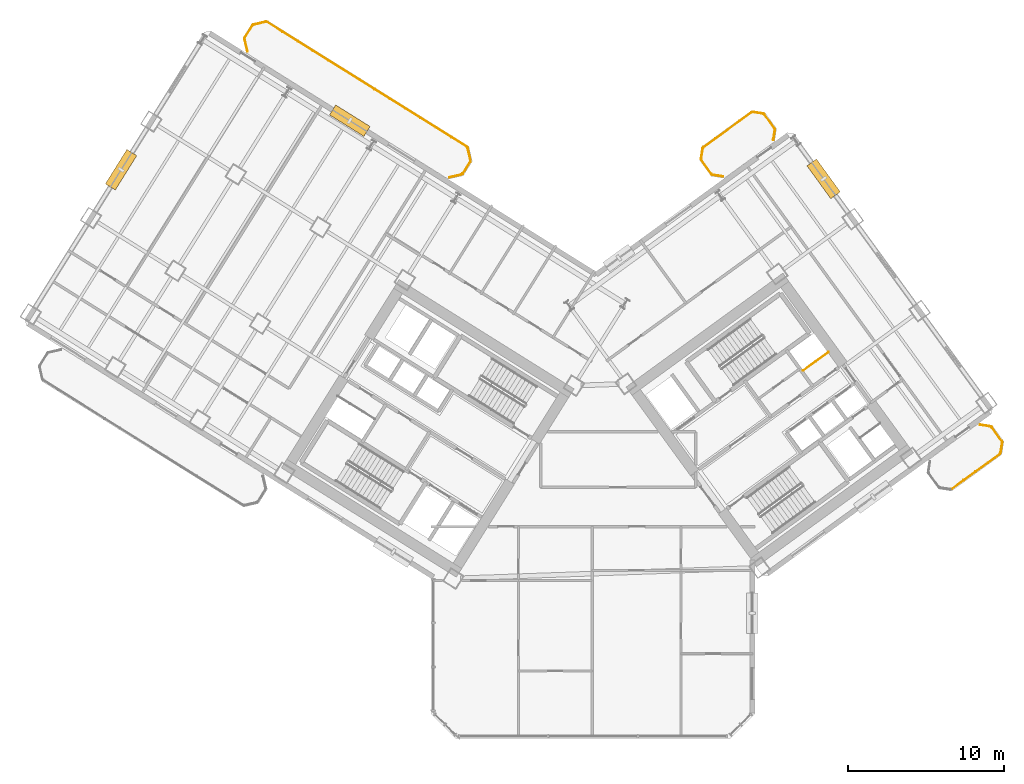
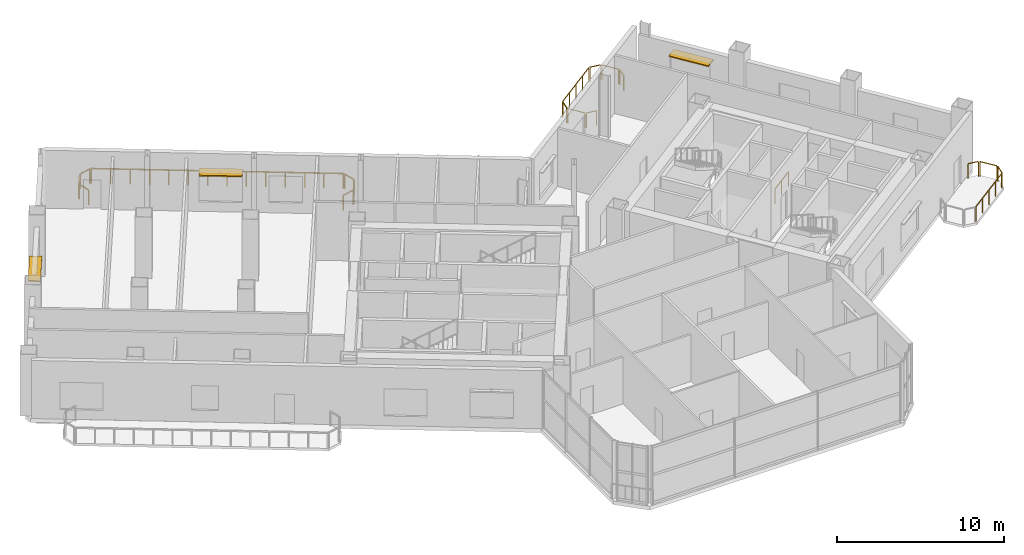
# One storey, part 19 of 19: 19 railings, 3 shading devices.
"""IFC4 building model written with IfcOpenShell, lengths in metres."""

from ifc_helpers import new_model, si_unit, direction, frame, origin, origin_2d, place, context, subcontext, project, spatial, rectangle, extrude, source, transform, mapped, material, layer, layer_set, type_object, element, save


model = new_model("IFC4")

# Units and contexts
model_context = context("Model", 3, precision=1e-05, world=origin(), true_north=direction((0.0, 1.0)))
body_context = subcontext(model_context, "Body", "Model", "MODEL_VIEW")
ifc_project = project(units=[si_unit("LENGTHUNIT", "METRE"), si_unit("AREAUNIT", "SQUARE_METRE"), si_unit("VOLUMEUNIT", "CUBIC_METRE"), si_unit("PLANEANGLEUNIT", "RADIAN"), si_unit("MASSUNIT", "GRAM", prefix="KILO")], contexts=[model_context])

# Site, building, storey
site_placement = place(None, origin())
site = spatial("IfcSite", under=ifc_project, at=site_placement, CompositionType="ELEMENT")
building_placement = place(site_placement, origin())
building = spatial("IfcBuilding", under=site, at=building_placement, Name="Tlacorven Tower", CompositionType="ELEMENT")
storey_placement = place(building_placement, frame((0.0, 0.0, 76.5)))
storey = spatial("IfcBuildingStorey", under=building, at=storey_placement, Name="L19", CompositionType="ELEMENT", Elevation=76.5)

# Railings
ifc_material_1 = material(Name="Aluminium and painted steel balustrade", Category="steel")
railing_type_1 = type_object("IfcRailingType", Name="RL-GRD-1100", PredefinedType="GUARDRAIL", material=ifc_material_1)
shared_shape_1 = source(origin(), body_context, "Body", "SweptSolid", [
    extrude(rectangle(XDim=0.048095703125, YDim=0.048095703125, at=origin_2d()), frame((0.0, 0.0, 1.076171875), z_axis=(0.808947177504, 0.587881334972, 0.0), x_axis=(-0.587881334972, 0.808947177504, 0.0)), (0.0, 0.0, 1.0), 2.0),
    extrude(rectangle(XDim=0.0419921875, YDim=0.0419921875, at=origin_2d()), origin(), (0.0, 0.0, 1.0), 1.052001953125),
    extrude(rectangle(XDim=0.0419921875, YDim=0.0419921875, at=origin_2d()), frame((0.80908203125, 0.587890625, 0.0)), (0.0, 0.0, 1.0), 1.052001953125),
    extrude(rectangle(XDim=0.0419921875, YDim=0.0419921875, at=origin_2d()), frame((1.617919921875, 1.17578125, 0.0)), (0.0, 0.0, 1.0), 1.052001953125),
])
railing_1_placement = place(storey_placement, frame((55.506103515625, 25.438232421875, 0.0)))
element("IfcRailing", 1, at=railing_1_placement, inside=storey, type_object=railing_type_1, Name="L19 Electrical Riser E Shaft Guard 1", PredefinedType="GUARDRAIL", context=body_context, shape_type="MappedRepresentation", body=[
    mapped(shared_shape_1, transform((0.0, 0.0, 0.0), scale=1.0)),
])
railing_type_2 = type_object("IfcRailingType", Name="RL-BAL-1100", PredefinedType="BALUSTRADE", material=ifc_material_1)
shared_shape_2 = source(origin(), body_context, "Body", "SweptSolid", [
    extrude(rectangle(XDim=0.048095703125, YDim=0.048095703125, at=origin_2d()), frame((0.0, 0.0, 1.076171875), z_axis=(0.974345290916, 0.225058334816, 0.0), x_axis=(-0.225058334816, 0.974345290916, 0.0)), (0.0, 0.0, 1.0), 0.80712890625),
    extrude(rectangle(XDim=0.0419921875, YDim=0.0419921875, at=origin_2d()), origin(), (0.0, 0.0, 1.0), 1.052001953125),
    extrude(rectangle(XDim=0.0419921875, YDim=0.0419921875, at=origin_2d()), frame((0.786376953125, 0.181640625, 0.0)), (0.0, 0.0, 1.0), 1.052001953125),
])
railing_2_placement = place(storey_placement, frame((20.2138671875, 47.643798828125, 0.0)))
element("IfcRailing", 2, at=railing_2_placement, inside=storey, type_object=railing_type_2, Name="BAL-L19-W-IN Guard Railing 6", PredefinedType="BALUSTRADE", context=body_context, shape_type="MappedRepresentation", body=[
    mapped(shared_shape_2, transform((0.0, 0.0, 0.0), scale=1.0)),
])
shared_shape_3 = source(origin(), body_context, "Body", "SweptSolid", [
    extrude(rectangle(XDim=0.048095703125, YDim=0.048095703125, at=origin_2d()), frame((0.0, 0.0, 1.076171875), z_axis=(-0.987661653326, 0.156602868908, 0.0), x_axis=(-0.156602868908, -0.987661653326, 0.0)), (0.0, 0.0, 1.0), 0.665771484375),
    extrude(rectangle(XDim=0.0419921875, YDim=0.0419921875, at=origin_2d()), origin(), (0.0, 0.0, 1.0), 1.052001953125),
    extrude(rectangle(XDim=0.0419921875, YDim=0.0419921875, at=origin_2d()), frame((-0.657470703125, 0.104248046875, 0.0)), (0.0, 0.0, 1.0), 1.052001953125),
])
railing_3_placement = place(storey_placement, frame((50.359130859375, 37.891845703125, 0.0)))
element("IfcRailing", 3, at=railing_3_placement, inside=storey, type_object=railing_type_2, Name="BAL-L19-E-IN Guard Railing 1", PredefinedType="BALUSTRADE", context=body_context, shape_type="MappedRepresentation", body=[
    mapped(shared_shape_3, transform((0.0, 0.0, 0.0), scale=1.0)),
])
shared_shape_4 = source(origin(), body_context, "Body", "SweptSolid", [
    extrude(rectangle(XDim=0.048095703125, YDim=0.048095703125, at=origin_2d()), frame((0.0, 0.0, 1.076171875), z_axis=(0.156602868908, 0.987661653326, 0.0), x_axis=(-0.987661653326, 0.156602868908, 0.0)), (0.0, 0.0, 1.0), 0.665771484375),
    extrude(rectangle(XDim=0.0419921875, YDim=0.0419921875, at=origin_2d()), origin(), (0.0, 0.0, 1.0), 1.052001953125),
    extrude(rectangle(XDim=0.0419921875, YDim=0.0419921875, at=origin_2d()), frame((0.104248046875, 0.657470703125, 0.0)), (0.0, 0.0, 1.0), 1.052001953125),
])
railing_4_placement = place(storey_placement, frame((48.947509765625, 39.033935546875, 0.0)))
element("IfcRailing", 4, at=railing_4_placement, inside=storey, type_object=railing_type_2, Name="BAL-L19-E-IN Guard Railing 3", PredefinedType="BALUSTRADE", context=body_context, shape_type="MappedRepresentation", body=[
    mapped(shared_shape_4, transform((0.0, 0.0, 0.0), scale=1.0)),
])
shared_shape_5 = source(origin(), body_context, "Body", "SweptSolid", [
    extrude(rectangle(XDim=0.048095703125, YDim=0.048095703125, at=origin_2d()), frame((0.0, 0.0, 1.076171875), z_axis=(0.58788449985, -0.808944877501, 0.0), x_axis=(0.808944877501, 0.58788449985, 0.0)), (0.0, 0.0, 1.0), 1.112060546875),
    extrude(rectangle(XDim=0.0419921875, YDim=0.0419921875, at=origin_2d()), origin(), (0.0, 0.0, 1.0), 1.052001953125),
    extrude(rectangle(XDim=0.0419921875, YDim=0.0419921875, at=origin_2d()), frame((0.65380859375, -0.899658203125, 0.0)), (0.0, 0.0, 1.0), 1.052001953125),
])
railing_5_placement = place(storey_placement, frame((67.60595703125, 21.799072265625, 0.0)))
element("IfcRailing", 5, at=railing_5_placement, inside=storey, type_object=railing_type_2, Name="BAL-L19-E-OUT Guard Railing 5", PredefinedType="BALUSTRADE", context=body_context, shape_type="MappedRepresentation", body=[
    mapped(shared_shape_5, transform((0.0, 0.0, 0.0), scale=1.0)),
])
shared_shape_6 = source(origin(), body_context, "Body", "SweptSolid", [
    extrude(rectangle(XDim=0.048095703125, YDim=0.048095703125, at=origin_2d()), frame((0.0, 0.0, 1.076171875), z_axis=(-0.809018102573, -0.587783726986, 0.0), x_axis=(0.587783726986, -0.809018102573, 0.0)), (0.0, 0.0, 1.0), 3.817138671875),
    extrude(rectangle(XDim=0.0419921875, YDim=0.0419921875, at=origin_2d()), origin(), (0.0, 0.0, 1.0), 1.052001953125),
    extrude(rectangle(XDim=0.0419921875, YDim=0.0419921875, at=origin_2d()), frame((-0.77197265625, -0.56103515625, 0.0)), (0.0, 0.0, 1.0), 1.052001953125),
    extrude(rectangle(XDim=0.0419921875, YDim=0.0419921875, at=origin_2d()), frame((-1.5439453125, -1.121826171875, 0.0)), (0.0, 0.0, 1.0), 1.052001953125),
    extrude(rectangle(XDim=0.0419921875, YDim=0.0419921875, at=origin_2d()), frame((-2.316162109375, -1.6826171875, 0.0)), (0.0, 0.0, 1.0), 1.052001953125),
    extrude(rectangle(XDim=0.0419921875, YDim=0.0419921875, at=origin_2d()), frame((-3.088134765625, -2.24365234375, 0.0)), (0.0, 0.0, 1.0), 1.052001953125),
])
railing_6_placement = place(storey_placement, frame((68.12890625, 20.0732421875, 0.0)))
element("IfcRailing", 6, at=railing_6_placement, inside=storey, type_object=railing_type_2, Name="BAL-L19-E-OUT Guard Railing 7", PredefinedType="BALUSTRADE", context=body_context, shape_type="MappedRepresentation", body=[
    mapped(shared_shape_6, transform((0.0, 0.0, 0.0), scale=1.0)),
])
shared_shape_7 = source(origin(), body_context, "Body", "SweptSolid", [
    extrude(rectangle(XDim=0.048095703125, YDim=0.048095703125, at=origin_2d()), frame((0.0, 0.0, 1.076171875), z_axis=(-0.156245081039, -0.987718317463, 0.0), x_axis=(0.987718317463, -0.156245081039, 0.0)), (0.0, 0.0, 1.0), 0.66552734375),
    extrude(rectangle(XDim=0.0419921875, YDim=0.0419921875, at=origin_2d()), origin(), (0.0, 0.0, 1.0), 1.052001953125),
    extrude(rectangle(XDim=0.0419921875, YDim=0.0419921875, at=origin_2d()), frame((-0.10400390625, -0.657470703125, 0.0)), (0.0, 0.0, 1.0), 1.052001953125),
])
for number, where, name in (
    (7, (68.28125, 20.8095703125, 0.0), "BAL-L19-E-OUT Guard Railing 6"),
    (8, (53.689453125, 40.893310546875, 0.0), "BAL-L19-E-IN Guard Railing 7"),
):
    element("IfcRailing", number, at=place(storey_placement, frame(where)), inside=storey, type_object=railing_type_2, Name=name, PredefinedType="BALUSTRADE", context=body_context, shape_type="MappedRepresentation", body=[
        mapped(shared_shape_7, transform((0.0, 0.0, 0.0), scale=1.0)),
    ])
shared_shape_8 = source(origin(), body_context, "Body", "SweptSolid", [
    extrude(rectangle(XDim=0.048095703125, YDim=0.048095703125, at=origin_2d()), frame((0.0, 0.0, 1.076171875), z_axis=(0.529998940003, 0.847998304005, 0.0), x_axis=(-0.847998304005, 0.529998940003, 0.0)), (0.0, 0.0, 1.0), 0.912109375),
    extrude(rectangle(XDim=0.0419921875, YDim=0.0419921875, at=origin_2d()), origin(), (0.0, 0.0, 1.0), 1.052001953125),
    extrude(rectangle(XDim=0.0419921875, YDim=0.0419921875, at=origin_2d()), frame((0.4833984375, 0.7734375, 0.0)), (0.0, 0.0, 1.0), 1.052001953125),
])
railing_7_placement = place(storey_placement, frame((19.6552734375, 46.816650390625, 0.0)))
element("IfcRailing", 9, at=railing_7_placement, inside=storey, type_object=railing_type_2, Name="BAL-L19-W-IN Guard Railing 5", PredefinedType="BALUSTRADE", context=body_context, shape_type="MappedRepresentation", body=[
    mapped(shared_shape_8, transform((0.0, 0.0, 0.0), scale=1.0)),
])
shared_shape_9 = source(origin(), body_context, "Body", "SweptSolid", [
    extrude(rectangle(XDim=0.048095703125, YDim=0.048095703125, at=origin_2d()), frame((0.0, 0.0, 1.076171875), z_axis=(0.224992020761, -0.974360606036, 0.0), x_axis=(0.974360606036, 0.224992020761, 0.0)), (0.0, 0.0, 1.0), 0.807373046875),
    extrude(rectangle(XDim=0.0419921875, YDim=0.0419921875, at=origin_2d()), origin(), (0.0, 0.0, 1.0), 1.052001953125),
    extrude(rectangle(XDim=0.0419921875, YDim=0.0419921875, at=origin_2d()), frame((0.181640625, -0.78662109375, 0.0)), (0.0, 0.0, 1.0), 1.052001953125),
])
railing_8_placement = place(storey_placement, frame((33.965087890625, 39.72412109375, 0.0)))
element("IfcRailing", 10, at=railing_8_placement, inside=storey, type_object=railing_type_2, Name="BAL-L19-W-IN Guard Railing 1", PredefinedType="BALUSTRADE", context=body_context, shape_type="MappedRepresentation", body=[
    mapped(shared_shape_9, transform((0.0, 0.0, 0.0), scale=1.0)),
])
shared_shape_10 = source(origin(), body_context, "Body", "SweptSolid", [
    extrude(rectangle(XDim=0.048095703125, YDim=0.048095703125, at=origin_2d()), frame((0.0, 0.0, 1.076171875), z_axis=(-0.529998940003, -0.847998304005, 0.0), x_axis=(0.847998304005, -0.529998940003, 0.0)), (0.0, 0.0, 1.0), 0.912109375),
    extrude(rectangle(XDim=0.0419921875, YDim=0.0419921875, at=origin_2d()), origin(), (0.0, 0.0, 1.0), 1.052001953125),
    extrude(rectangle(XDim=0.0419921875, YDim=0.0419921875, at=origin_2d()), frame((-0.4833984375, -0.7734375, 0.0)), (0.0, 0.0, 1.0), 1.052001953125),
])
railing_9_placement = place(storey_placement, frame((34.131591796875, 38.846435546875, 0.0)))
element("IfcRailing", 11, at=railing_9_placement, inside=storey, type_object=railing_type_2, Name="BAL-L19-W-IN Guard Railing 2", PredefinedType="BALUSTRADE", context=body_context, shape_type="MappedRepresentation", body=[
    mapped(shared_shape_10, transform((0.0, 0.0, 0.0), scale=1.0)),
])
shared_shape_11 = source(origin(), body_context, "Body", "SweptSolid", [
    extrude(rectangle(XDim=0.048095703125, YDim=0.048095703125, at=origin_2d()), frame((0.0, 0.0, 1.076171875), z_axis=(-0.974360606036, -0.224992020761, 0.0), x_axis=(0.224992020761, -0.974360606036, 0.0)), (0.0, 0.0, 1.0), 0.807373046875),
    extrude(rectangle(XDim=0.0419921875, YDim=0.0419921875, at=origin_2d()), origin(), (0.0, 0.0, 1.0), 1.052001953125),
    extrude(rectangle(XDim=0.0419921875, YDim=0.0419921875, at=origin_2d()), frame((-0.78662109375, -0.181640625, 0.0)), (0.0, 0.0, 1.0), 1.052001953125),
])
railing_10_placement = place(storey_placement, frame((33.572998046875, 38.019287109375, 0.0)))
element("IfcRailing", 12, at=railing_10_placement, inside=storey, type_object=railing_type_2, Name="BAL-L19-W-IN Guard Railing 3", PredefinedType="BALUSTRADE", context=body_context, shape_type="MappedRepresentation", body=[
    mapped(shared_shape_11, transform((0.0, 0.0, 0.0), scale=1.0)),
])
shared_shape_12 = source(origin(), body_context, "Body", "SweptSolid", [
    extrude(rectangle(XDim=0.048095703125, YDim=0.048095703125, at=origin_2d()), frame((0.0, 0.0, 1.076171875), z_axis=(-0.22470489119, 0.974426863277, 0.0), x_axis=(-0.974426863277, -0.22470489119, 0.0)), (0.0, 0.0, 1.0), 0.807373046875),
    extrude(rectangle(XDim=0.0419921875, YDim=0.0419921875, at=origin_2d()), origin(), (0.0, 0.0, 1.0), 1.052001953125),
    extrude(rectangle(XDim=0.0419921875, YDim=0.0419921875, at=origin_2d()), frame((-0.181396484375, 0.78662109375, 0.0)), (0.0, 0.0, 1.0), 1.052001953125),
])
railing_11_placement = place(storey_placement, frame((19.821533203125, 45.93896484375, 0.0)))
element("IfcRailing", 13, at=railing_11_placement, inside=storey, type_object=railing_type_2, Name="BAL-L19-W-IN Guard Railing 4", PredefinedType="BALUSTRADE", context=body_context, shape_type="MappedRepresentation", body=[
    mapped(shared_shape_12, transform((0.0, 0.0, 0.0), scale=1.0)),
])
shared_shape_13 = source(origin(), body_context, "Body", "SweptSolid", [
    extrude(rectangle(XDim=0.048095703125, YDim=0.048095703125, at=origin_2d()), frame((0.0, 0.0, 1.076171875), z_axis=(0.848051830527, -0.529913287944, 0.0), x_axis=(0.529913287944, 0.848051830527, 0.0)), (0.0, 0.0, 1.0), 15.1171875),
    extrude(rectangle(XDim=0.0419921875, YDim=0.0419921875, at=origin_2d()), origin(), (0.0, 0.0, 1.0), 1.052001953125),
    extrude(rectangle(XDim=0.0419921875, YDim=0.0419921875, at=origin_2d()), frame((0.986083984375, -0.6162109375, 0.0)), (0.0, 0.0, 1.0), 1.052001953125),
    extrude(rectangle(XDim=0.0419921875, YDim=0.0419921875, at=origin_2d()), frame((1.972412109375, -1.232421875, 0.0)), (0.0, 0.0, 1.0), 1.052001953125),
    extrude(rectangle(XDim=0.0419921875, YDim=0.0419921875, at=origin_2d()), frame((2.95849609375, -1.8486328125, 0.0)), (0.0, 0.0, 1.0), 1.052001953125),
    extrude(rectangle(XDim=0.0419921875, YDim=0.0419921875, at=origin_2d()), frame((3.944580078125, -2.46484375, 0.0)), (0.0, 0.0, 1.0), 1.052001953125),
    extrude(rectangle(XDim=0.0419921875, YDim=0.0419921875, at=origin_2d()), frame((4.930908203125, -3.0810546875, 0.0)), (0.0, 0.0, 1.0), 1.052001953125),
    extrude(rectangle(XDim=0.0419921875, YDim=0.0419921875, at=origin_2d()), frame((5.9169921875, -3.697265625, 0.0)), (0.0, 0.0, 1.0), 1.052001953125),
    extrude(rectangle(XDim=0.0419921875, YDim=0.0419921875, at=origin_2d()), frame((6.903076171875, -4.3134765625, 0.0)), (0.0, 0.0, 1.0), 1.052001953125),
    extrude(rectangle(XDim=0.0419921875, YDim=0.0419921875, at=origin_2d()), frame((7.88916015625, -4.9296875, 0.0)), (0.0, 0.0, 1.0), 1.052001953125),
    extrude(rectangle(XDim=0.0419921875, YDim=0.0419921875, at=origin_2d()), frame((8.87548828125, -5.5458984375, 0.0)), (0.0, 0.0, 1.0), 1.052001953125),
    extrude(rectangle(XDim=0.0419921875, YDim=0.0419921875, at=origin_2d()), frame((9.861572265625, -6.162109375, 0.0)), (0.0, 0.0, 1.0), 1.052001953125),
    extrude(rectangle(XDim=0.0419921875, YDim=0.0419921875, at=origin_2d()), frame((10.84765625, -6.7783203125, 0.0)), (0.0, 0.0, 1.0), 1.052001953125),
    extrude(rectangle(XDim=0.0419921875, YDim=0.0419921875, at=origin_2d()), frame((11.833984375, -7.39453125, 0.0)), (0.0, 0.0, 1.0), 1.052001953125),
    extrude(rectangle(XDim=0.0419921875, YDim=0.0419921875, at=origin_2d()), frame((12.820068359375, -8.0107421875, 0.0)), (0.0, 0.0, 1.0), 1.052001953125),
])
railing_12_placement = place(storey_placement, frame((21.091552734375, 47.81005859375, 0.0)))
element("IfcRailing", 14, at=railing_12_placement, inside=storey, type_object=railing_type_2, Name="BAL-L19-W-IN Guard Railing 7", PredefinedType="BALUSTRADE", context=body_context, shape_type="MappedRepresentation", body=[
    mapped(shared_shape_13, transform((0.0, 0.0, 0.0), scale=1.0)),
])
shared_shape_14 = source(origin(), body_context, "Body", "SweptSolid", [
    extrude(rectangle(XDim=0.048095703125, YDim=0.048095703125, at=origin_2d()), frame((0.0, 0.0, 1.076171875), z_axis=(0.987727266442, -0.156188498702, 0.0), x_axis=(0.156188498702, 0.987727266442, 0.0)), (0.0, 0.0, 1.0), 0.665771484375),
    extrude(rectangle(XDim=0.0419921875, YDim=0.0419921875, at=origin_2d()), origin(), (0.0, 0.0, 1.0), 1.052001953125),
    extrude(rectangle(XDim=0.0419921875, YDim=0.0419921875, at=origin_2d()), frame((0.65771484375, -0.10400390625, 0.0)), (0.0, 0.0, 1.0), 1.052001953125),
])
railing_13_placement = place(storey_placement, frame((66.86962890625, 21.951416015625, 0.0)))
element("IfcRailing", 15, at=railing_13_placement, inside=storey, type_object=railing_type_2, Name="BAL-L19-E-OUT Guard Railing 4", PredefinedType="BALUSTRADE", context=body_context, shape_type="MappedRepresentation", body=[
    mapped(shared_shape_14, transform((0.0, 0.0, 0.0), scale=1.0)),
])
shared_shape_15 = source(origin(), body_context, "Body", "SweptSolid", [
    extrude(rectangle(XDim=0.048095703125, YDim=0.048095703125, at=origin_2d()), frame((0.0, 0.0, 1.076171875), z_axis=(-0.587636431696, 0.809125097957, 0.0), x_axis=(-0.809125097957, -0.587636431696, 0.0)), (0.0, 0.0, 1.0), 1.1123046875),
    extrude(rectangle(XDim=0.0419921875, YDim=0.0419921875, at=origin_2d()), origin(), (0.0, 0.0, 1.0), 1.052001953125),
    extrude(rectangle(XDim=0.0419921875, YDim=0.0419921875, at=origin_2d()), frame((-0.653564453125, 0.89990234375, 0.0)), (0.0, 0.0, 1.0), 1.052001953125),
])
railing_14_placement = place(storey_placement, frame((49.622802734375, 38.044189453125, 0.0)))
element("IfcRailing", 16, at=railing_14_placement, inside=storey, type_object=railing_type_2, Name="BAL-L19-E-IN Guard Railing 2", PredefinedType="BALUSTRADE", context=body_context, shape_type="MappedRepresentation", body=[
    mapped(shared_shape_15, transform((0.0, 0.0, 0.0), scale=1.0)),
])
shared_shape_16 = source(origin(), body_context, "Body", "SweptSolid", [
    extrude(rectangle(XDim=0.048095703125, YDim=0.048095703125, at=origin_2d()), frame((0.0, 0.0, 1.076171875), z_axis=(0.809018102573, 0.587783726986, 0.0), x_axis=(-0.587783726986, 0.809018102573, 0.0)), (0.0, 0.0, 1.0), 3.817138671875),
    extrude(rectangle(XDim=0.0419921875, YDim=0.0419921875, at=origin_2d()), origin(), (0.0, 0.0, 1.0), 1.052001953125),
    extrude(rectangle(XDim=0.0419921875, YDim=0.0419921875, at=origin_2d()), frame((0.77197265625, 0.56103515625, 0.0)), (0.0, 0.0, 1.0), 1.052001953125),
    extrude(rectangle(XDim=0.0419921875, YDim=0.0419921875, at=origin_2d()), frame((1.5439453125, 1.121826171875, 0.0)), (0.0, 0.0, 1.0), 1.052001953125),
    extrude(rectangle(XDim=0.0419921875, YDim=0.0419921875, at=origin_2d()), frame((2.316162109375, 1.6826171875, 0.0)), (0.0, 0.0, 1.0), 1.052001953125),
    extrude(rectangle(XDim=0.0419921875, YDim=0.0419921875, at=origin_2d()), frame((3.088134765625, 2.24365234375, 0.0)), (0.0, 0.0, 1.0), 1.052001953125),
])
railing_15_placement = place(storey_placement, frame((49.10009765625, 39.77001953125, 0.0)))
element("IfcRailing", 17, at=railing_15_placement, inside=storey, type_object=railing_type_2, Name="BAL-L19-E-IN Guard Railing 4", PredefinedType="BALUSTRADE", context=body_context, shape_type="MappedRepresentation", body=[
    mapped(shared_shape_16, transform((0.0, 0.0, 0.0), scale=1.0)),
])
shared_shape_17 = source(origin(), body_context, "Body", "SweptSolid", [
    extrude(rectangle(XDim=0.048095703125, YDim=0.048095703125, at=origin_2d()), frame((0.0, 0.0, 1.076171875), z_axis=(0.987661653326, -0.156602868908, 0.0), x_axis=(0.156602868908, 0.987661653326, 0.0)), (0.0, 0.0, 1.0), 0.665771484375),
    extrude(rectangle(XDim=0.0419921875, YDim=0.0419921875, at=origin_2d()), origin(), (0.0, 0.0, 1.0), 1.052001953125),
    extrude(rectangle(XDim=0.0419921875, YDim=0.0419921875, at=origin_2d()), frame((0.657470703125, -0.104248046875, 0.0)), (0.0, 0.0, 1.0), 1.052001953125),
])
railing_16_placement = place(storey_placement, frame((52.278076171875, 42.035400390625, 0.0)))
element("IfcRailing", 18, at=railing_16_placement, inside=storey, type_object=railing_type_2, Name="BAL-L19-E-IN Guard Railing 5", PredefinedType="BALUSTRADE", context=body_context, shape_type="MappedRepresentation", body=[
    mapped(shared_shape_17, transform((0.0, 0.0, 0.0), scale=1.0)),
])
shared_shape_18 = source(origin(), body_context, "Body", "SweptSolid", [
    extrude(rectangle(XDim=0.048095703125, YDim=0.048095703125, at=origin_2d()), frame((0.0, 0.0, 1.076171875), z_axis=(0.587780115446, -0.809020726488, 0.0), x_axis=(0.809020726488, 0.587780115446, 0.0)), (0.0, 0.0, 1.0), 1.1123046875),
    extrude(rectangle(XDim=0.0419921875, YDim=0.0419921875, at=origin_2d()), origin(), (0.0, 0.0, 1.0), 1.052001953125),
    extrude(rectangle(XDim=0.0419921875, YDim=0.0419921875, at=origin_2d()), frame((0.65380859375, -0.89990234375, 0.0)), (0.0, 0.0, 1.0), 1.052001953125),
])
railing_17_placement = place(storey_placement, frame((53.01416015625, 41.883056640625, 0.0)))
element("IfcRailing", 19, at=railing_17_placement, inside=storey, type_object=railing_type_2, Name="BAL-L19-E-IN Guard Railing 6", PredefinedType="BALUSTRADE", context=body_context, shape_type="MappedRepresentation", body=[
    mapped(shared_shape_18, transform((0.0, 0.0, 0.0), scale=1.0)),
])

# Shading devices
ifc_material_2 = material(Name="Anodised bronze aluminium sunshade", Category="aluminium")
ifc_layer = layer(ifc_material_2, 0.080078125)
ifc_layer_set = layer_set([ifc_layer], Name="Anodised bronze aluminium sunshade")
shading_device_type = type_object("IfcShadingDeviceType", Name="SH-SUN-BRZ", PredefinedType="AWNING", material=ifc_layer_set)
shared_shape_19 = source(origin(), body_context, "Body", "SweptSolid", [
    extrude(rectangle(XDim=2.60009765625, YDim=0.75, at=origin_2d()), origin(), (0.0, 0.0, 1.0), 0.080078125),
])
for number, where, z_axis, x_axis, name in (
    (20, (11.711181640625, 38.330322265625, 2.719970703125), (0.0, 0.0, 1.0), (0.529919147866, 0.848048168871, 0.0), "L19 Solar Brise-Soleil Sunshade L19-02.1"),
    (21, (26.392822265625, 41.478759765625, 2.719970703125), (0.0, 0.0, 1.0), (0.848048220257, -0.52991906563, 0.0), "L19 Solar Brise-Soleil Sunshade L19-03.1"),
    (22, (56.8125, 37.743896484375, 2.719970703125), (0.0, 0.0, 1.0), (0.587785363163, -0.809016913823, 0.0), "L19 Solar Brise-Soleil Sunshade L19-05.1"),
):
    element("IfcShadingDevice", number, at=place(storey_placement, frame(where, z_axis=z_axis, x_axis=x_axis)), inside=storey, type_object=shading_device_type, Name=name, PredefinedType="AWNING", context=body_context, shape_type="MappedRepresentation", body=[
        mapped(shared_shape_19, transform((0.0, 0.0, 0.0), scale=1.0)),
    ])

save(model, "model.ifc")
